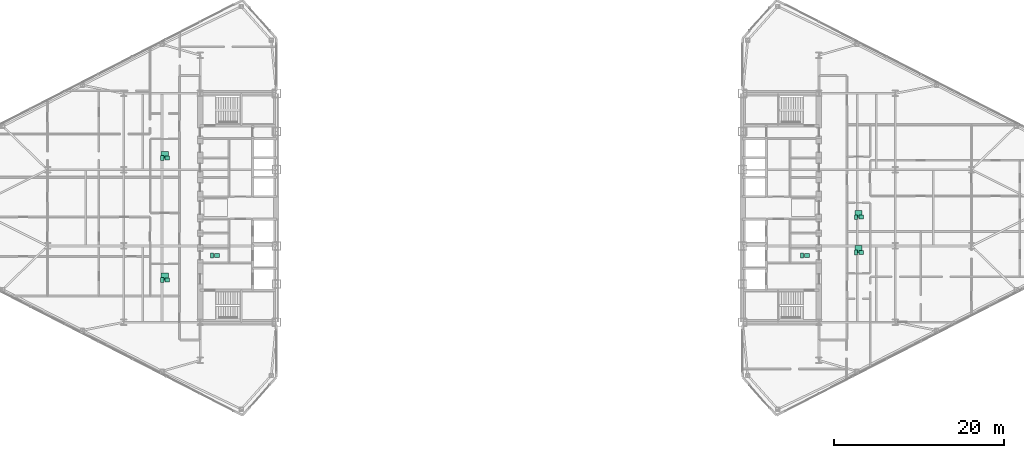
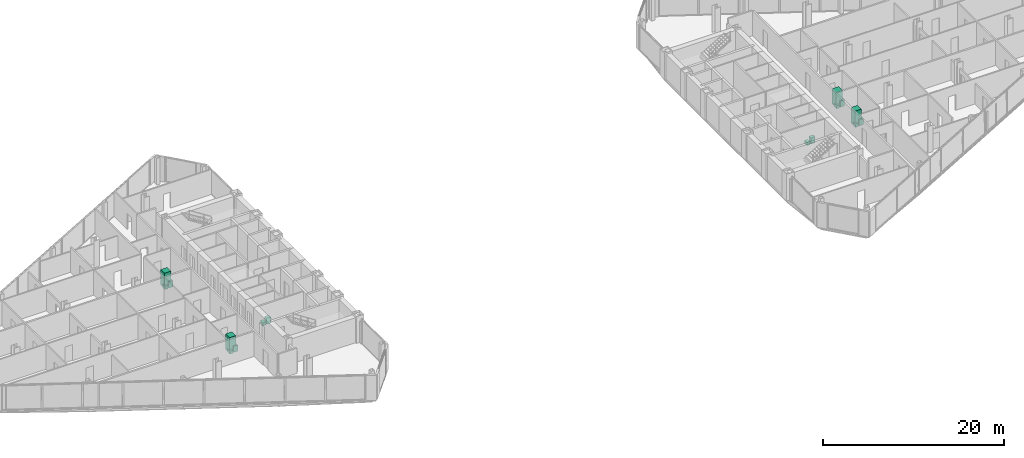
# One storey, part 24 of 24: 16 sanitary terminals.
"""IFC4 building model written with IfcOpenShell, lengths in metres."""

import ifcopenshell
import ifcopenshell.guid

model = None  # the IFC model being written
_history = None  # IfcOwnerHistory: only IFC2X3 demands one
_inside = {}  # id of a spatial element -> (the spatial element, [elements in it])
_under = {}  # id of a project, library or spatial element -> (it, [spatial elements below it])
_declared = {}  # id of a project -> (the project, [libraries it declares])
_typed = {}  # id of a type object -> (the type object, [elements of that type])
_made_of = {}  # id of a material, layer set ... -> (it, [elements and type objects made of it])


def new_model(schema):
    """Start an empty IFC model of exactly this schema.

    Asked for "IFC4X3", IfcOpenShell would pick the latest addendum, in which some entities
    have other attributes; the version numbers below select the first issue.
    IFC2X3 requires an IfcOwnerHistory on every rooted entity: one is made here for all.
    """
    global model, _history
    if schema == "IFC4X3":
        model = ifcopenshell.file(schema_version=(4, 3, 0, 0))
    else:
        model = ifcopenshell.file(schema=schema)
    _inside.clear()
    _under.clear()
    _declared.clear()
    _typed.clear()
    _made_of.clear()
    _history = None
    if model.schema == "IFC2X3":
        org = make("IfcOrganization", Name="unknown")
        user = make(
            "IfcPersonAndOrganization",
            ThePerson=make("IfcPerson", FamilyName="unknown"),
            TheOrganization=org,
        )
        app = make(
            "IfcApplication",
            ApplicationDeveloper=org,
            Version="unknown",
            ApplicationFullName="unknown",
            ApplicationIdentifier="unknown",
        )
        _history = make(
            "IfcOwnerHistory",
            OwningUser=user,
            OwningApplication=app,
            ChangeAction="ADDED",
            CreationDate=0,
        )
    return model


def make(cls, **values):
    """One entity of the class cls with the attributes given. An attribute that is None is left unset."""
    return model.create_entity(
        cls, **{name: value for name, value in values.items() if value is not None}
    )


def rooted(cls, **values):
    """An entity with a GlobalId (a new one), such as an element, a storey or a relation."""
    return make(cls, GlobalId=ifcopenshell.guid.new(), OwnerHistory=_history, **values)


def si_unit(unit_type, name, prefix=None):
    """IfcSIUnit, for example si_unit("LENGTHUNIT", "METRE", prefix="MILLI")."""
    return make("IfcSIUnit", UnitType=unit_type, Prefix=prefix, Name=name)


def assignment(units):
    """IfcUnitAssignment: the units of a project."""
    return None if units is None else make("IfcUnitAssignment", Units=units)


def point(xyz):
    """IfcCartesianPoint."""
    return None if xyz is None else make("IfcCartesianPoint", Coordinates=xyz)


def direction(xyz):
    """IfcDirection."""
    return None if xyz is None else make("IfcDirection", DirectionRatios=xyz)


def frame(location, z_axis=None, x_axis=None):
    """IfcAxis2Placement3D, a coordinate frame: its origin and axes. An axis left out is left unset."""
    return make(
        "IfcAxis2Placement3D",
        Location=point(location),
        Axis=direction(z_axis),
        RefDirection=direction(x_axis),
    )


def frame_2d(location, x_axis=None):
    """IfcAxis2Placement2D, a coordinate frame in the plane: its origin and x axis."""
    return make(
        "IfcAxis2Placement2D", Location=point(location), RefDirection=direction(x_axis)
    )


def origin():
    """The frame at (0, 0, 0) with its axes left unset."""
    return frame((0.0, 0.0, 0.0))


def origin_2d():
    """The frame at (0, 0) in the plane with its x axis left unset."""
    return frame_2d((0.0, 0.0))


def place(relative_to, where):
    """IfcLocalPlacement: puts the frame where relative to a parent placement (None: the world)."""
    return make(
        "IfcLocalPlacement", PlacementRelTo=relative_to, RelativePlacement=where
    )


def context(
    kind, dimensions, precision=None, world=None, true_north=None, identifier=None
):
    """IfcGeometricRepresentationContext, for example the 3D "Model" context."""
    return make(
        "IfcGeometricRepresentationContext",
        ContextIdentifier=identifier,
        ContextType=kind,
        CoordinateSpaceDimension=dimensions,
        Precision=precision,
        WorldCoordinateSystem=world,
        TrueNorth=true_north,
    )


def subcontext(parent, identifier, kind, view, scale=None):
    """IfcGeometricRepresentationSubContext, for example "Body" below "Model"."""
    return make(
        "IfcGeometricRepresentationSubContext",
        ContextIdentifier=identifier,
        ContextType=kind,
        ParentContext=parent,
        TargetScale=scale,
        TargetView=view,
    )


def project(units=None, contexts=None):
    """IfcProject with its units and contexts."""
    return rooted(
        "IfcProject",
        Name="project",
        RepresentationContexts=contexts,
        UnitsInContext=assignment(units),
    )


def spatial(cls, under=None, at=None, **own):
    """A site, building, storey or space (cls), placed at a placement, below another one or the project."""
    s = rooted(cls, ObjectPlacement=at, **own)
    if under is not None:
        _under.setdefault(under.id(), (under, []))[1].append(s)
    return s


def profile(cls, at=None, kind="AREA", **sizes):
    """A parametric profile (cls). Its sizes go by their IFC names, for example OverallWidth=200.0."""
    return make(cls, ProfileType=kind, Position=at, **sizes)


def rectangle(**sizes):
    """IfcRectangleProfileDef."""
    return profile("IfcRectangleProfileDef", **sizes)


def extrude(swept, where, along, depth):
    """IfcExtrudedAreaSolid: the profile swept, set in the frame where, extruded along a direction by depth."""
    return make(
        "IfcExtrudedAreaSolid",
        SweptArea=swept,
        Position=where,
        ExtrudedDirection=direction(along),
        Depth=depth,
    )


def shape(context_of_items, identifier, shape_type, items):
    """IfcShapeRepresentation: the items that make up one representation, for example the "Body"."""
    return make(
        "IfcShapeRepresentation",
        ContextOfItems=context_of_items,
        RepresentationIdentifier=identifier,
        RepresentationType=shape_type,
        Items=items,
    )


def source(mapping_origin, context_of_items, identifier, shape_type, items):
    """IfcRepresentationMap: a shape defined once, which mapped items show again and again."""
    return make(
        "IfcRepresentationMap",
        MappingOrigin=mapping_origin,
        MappedRepresentation=shape(context_of_items, identifier, shape_type, items),
    )


def transform(
    local_origin,
    x_axis=None,
    y_axis=None,
    z_axis=None,
    scale=None,
    scale2=None,
    scale3=None,
    uniform=True,
):
    """IfcCartesianTransformationOperator3D, or its non-uniform kind. x_axis, y_axis, z_axis: its Axis1, 2, 3."""
    if uniform:
        return make(
            "IfcCartesianTransformationOperator3D",
            Axis1=direction(x_axis),
            Axis2=direction(y_axis),
            LocalOrigin=point(local_origin),
            Scale=scale,
            Axis3=direction(z_axis),
        )
    return make(
        "IfcCartesianTransformationOperator3DnonUniform",
        Axis1=direction(x_axis),
        Axis2=direction(y_axis),
        LocalOrigin=point(local_origin),
        Scale=scale,
        Axis3=direction(z_axis),
        Scale2=scale2,
        Scale3=scale3,
    )


def mapped(mapping_source, mapping_target):
    """IfcMappedItem: shows the shape of a source again, moved by a transform."""
    return make(
        "IfcMappedItem", MappingSource=mapping_source, MappingTarget=mapping_target
    )


def material(Name=None, Category=None):
    """IfcMaterial."""
    return make("IfcMaterial", Name=Name, Category=Category)


def made_of(thing, what):
    """Note that an element or type object is made of a material, layer set ...; save() writes the relation."""
    if what is not None:
        _made_of.setdefault(what.id(), (what, []))[1].append(thing)
    return thing


def type_object(cls, material=None, **own):
    """A type object (cls), such as IfcWallType, which elements share."""
    return made_of(rooted(cls, **own), material)


def type_shapes(of_type, sources):
    """Give a type object the sources (RepresentationMaps) that its elements show as mapped items."""
    of_type.RepresentationMaps = sources


def element(
    cls,
    number,
    at=None,
    inside=None,
    cuts=None,
    type_object=None,
    material=None,
    context=None,
    identifier="Body",
    shape_type=None,
    held_by="IfcProductDefinitionShape",
    body=None,
    shapes=None,
    **own,
):
    """One element of the class cls, such as IfcWall. Its Tag is "e" and its number.

    at: its placement. inside: the storey or other place that contains it. cuts: it is an
    opening in that element (IfcRelVoidsElement). A single representation is given by context,
    identifier, shape_type and body (its items); several are given by shapes. held_by: the class
    of the entity that holds the representations. save() writes the other relations.
    """
    e = rooted(cls, Tag="e%d" % number, ObjectPlacement=at, **own)
    if body is not None:
        shapes = [shape(context, identifier, shape_type, body)]
    if shapes is not None:
        e.Representation = make(held_by, Representations=shapes)
    if inside is not None:
        _inside.setdefault(inside.id(), (inside, []))[1].append(e)
    if cuts is not None:
        rooted(
            "IfcRelVoidsElement", RelatingBuildingElement=cuts, RelatedOpeningElement=e
        )
    if type_object is not None:
        _typed.setdefault(type_object.id(), (type_object, []))[1].append(e)
    return made_of(e, material)


def aggregate(whole, parts):
    """IfcRelAggregates: a whole, such as a stair, and the parts it consists of."""
    return rooted("IfcRelAggregates", RelatingObject=whole, RelatedObjects=parts)


def save(model, path):
    """Write the relations noted so far, then the file.

    IfcRelAggregates (storeys below a building ...), IfcRelContainedInSpatialStructure (elements
    in a storey), IfcRelDefinesByType, IfcRelAssociatesMaterial and IfcRelDeclares: one each for
    every whole, place, type object, material and project.
    """
    for whole, parts in _under.values():
        aggregate(whole, parts)
    for where, things in _inside.values():
        rooted(
            "IfcRelContainedInSpatialStructure",
            RelatedElements=things,
            RelatingStructure=where,
        )
    for kind, things in _typed.values():
        rooted("IfcRelDefinesByType", RelatedObjects=things, RelatingType=kind)
    for what, things in _made_of.values():
        rooted("IfcRelAssociatesMaterial", RelatedObjects=things, RelatingMaterial=what)
    for by, libraries in _declared.values():
        rooted("IfcRelDeclares", RelatingContext=by, RelatedDefinitions=libraries)
    model.write(path)


model = new_model("IFC4")

# Units and contexts
model_context = context("Model", 3, precision=1e-05, world=origin(), true_north=direction((0.0, 1.0)))
body_context = subcontext(model_context, "Body", "Model", "MODEL_VIEW")
ifc_project = project(units=[si_unit("LENGTHUNIT", "METRE"), si_unit("AREAUNIT", "SQUARE_METRE"), si_unit("VOLUMEUNIT", "CUBIC_METRE"), si_unit("PLANEANGLEUNIT", "RADIAN"), si_unit("MASSUNIT", "GRAM", prefix="KILO")], contexts=[model_context])

# Site, building, storey
site_placement = place(None, origin())
site = spatial("IfcSite", under=ifc_project, at=site_placement, CompositionType="ELEMENT")
building_placement = place(site_placement, origin())
building = spatial("IfcBuilding", under=site, at=building_placement, Name="Seokmaru Belvedere", CompositionType="ELEMENT")
storey_placement = place(building_placement, frame((0.0, 0.0, 121.199951171875)))
storey = spatial("IfcBuildingStorey", under=building, at=storey_placement, Name="L32", CompositionType="ELEMENT", Elevation=121.199951171875)

# Sanitary terminals
ifc_material_1 = material(Name="Vitreous China Sanitaryware")
sanitary_terminal_type_1 = type_object("IfcSanitaryTerminalType", Name="Wall-Hung Vitreous China WC Pan", PredefinedType="TOILETPAN", material=ifc_material_1)
shared_shape_1 = source(origin(), body_context, "Body", "SweptSolid", [
    extrude(rectangle(XDim=0.3798828125, YDim=0.56005859375, at=origin_2d()), origin(), (0.0, 0.0, 1.0), 0.419921875),
])
type_shapes(sanitary_terminal_type_1, [shared_shape_1])
for number, where, z_axis, x_axis, name in (
    (1, (-35.10009765625, -5.625, 0.0), (0.0, 0.0, 1.0), (1.0, 0.0, 0.0), "L32 Vitreous China WC 0180"),
    (2, (34.5, -5.625, 0.0), (0.0, 0.0, 1.0), (1.0, 0.0, 0.0), "L32 Vitreous China WC 0181"),
    (3, (-40.97509765625, -8.510986328125, 0.0), (0.0, 0.0, 1.0), (1.0, 0.0, 0.0), "L32 Vitreous China WC 0182"),
    (4, (-40.97509765625, 5.864013671875, 0.0), (0.0, 0.0, 1.0), (1.0, 0.0, 0.0), "L32 Vitreous China WC 0183"),
    (5, (40.875, -5.263916015625, 0.0), (0.0, 0.0, 1.0), (1.0, 0.0, 0.0), "L32 Vitreous China WC 0184"),
    (6, (40.875, -1.10009765625, 0.0), (0.0, 0.0, 1.0), (1.0, 0.0, 0.0), "L32 Vitreous China WC 0185"),
):
    element("IfcSanitaryTerminal", number, at=place(storey_placement, frame(where, z_axis=z_axis, x_axis=x_axis)), inside=storey, type_object=sanitary_terminal_type_1, Name=name, PredefinedType="TOILETPAN", context=body_context, shape_type="MappedRepresentation", body=[
        mapped(shared_shape_1, transform((0.0, 0.0, 0.0), scale=1.0)),
    ])
sanitary_terminal_type_2 = type_object("IfcSanitaryTerminalType", Name="Countertop Ceramic Washhand Basin", PredefinedType="WASHHANDBASIN", material=ifc_material_1)
shared_shape_2 = source(origin(), body_context, "Body", "SweptSolid", [
    extrude(rectangle(XDim=0.550048828125, YDim=0.449951171875, at=origin_2d()), origin(), (0.0, 0.0, 1.0), 0.820068359375),
])
type_shapes(sanitary_terminal_type_2, [shared_shape_2])
for number, where, z_axis, x_axis, name in (
    (7, (-34.5, -5.625, 0.0), (0.0, 0.0, 1.0), (1.0, 0.0, 0.0), "L32 Ceramic Washhand Basin 0180"),
    (8, (35.10009765625, -5.625, 0.0), (0.0, 0.0, 1.0), (1.0, 0.0, 0.0), "L32 Ceramic Washhand Basin 0181"),
    (9, (-40.375, -8.510986328125, 0.0), (0.0, 0.0, 1.0), (1.0, 0.0, 0.0), "L32 Ceramic Washhand Basin 0182"),
    (10, (-40.375, 5.864013671875, 0.0), (0.0, 0.0, 1.0), (1.0, 0.0, 0.0), "L32 Ceramic Washhand Basin 0183"),
    (11, (41.47509765625, -5.263916015625, 0.0), (0.0, 0.0, 1.0), (1.0, 0.0, 0.0), "L32 Ceramic Washhand Basin 0184"),
    (12, (41.47509765625, -1.10009765625, 0.0), (0.0, 0.0, 1.0), (1.0, 0.0, 0.0), "L32 Ceramic Washhand Basin 0185"),
):
    element("IfcSanitaryTerminal", number, at=place(storey_placement, frame(where, z_axis=z_axis, x_axis=x_axis)), inside=storey, type_object=sanitary_terminal_type_2, Name=name, PredefinedType="WASHHANDBASIN", context=body_context, shape_type="MappedRepresentation", body=[
        mapped(shared_shape_2, transform((0.0, 0.0, 0.0), scale=1.0)),
    ])
ifc_material_2 = material(Name="Stainless Steel 316", Category="steel")
sanitary_terminal_type_3 = type_object("IfcSanitaryTerminalType", Name="Walk-In Thermostatic Rain Shower Enclosure", PredefinedType="SHOWER", material=ifc_material_2)
shared_shape_3 = source(origin(), body_context, "Body", "SweptSolid", [
    extrude(rectangle(XDim=0.85009765625, YDim=0.85009765625, at=origin_2d()), origin(), (0.0, 0.0, 1.0), 2.050048828125),
])
type_shapes(sanitary_terminal_type_3, [shared_shape_3])
for number, where, z_axis, x_axis, name in (
    (13, (-40.675048828125, -8.131103515625, 0.0), (0.0, 0.0, 1.0), (1.0, 0.0, 0.0), "L32 Walk-In Shower 0182"),
    (14, (-40.675048828125, 6.243896484375, 0.0), (0.0, 0.0, 1.0), (1.0, 0.0, 0.0), "L32 Walk-In Shower 0183"),
    (15, (41.175048828125, -4.884033203125, 0.0), (0.0, 0.0, 1.0), (1.0, 0.0, 0.0), "L32 Walk-In Shower 0184"),
    (16, (41.175048828125, -0.719970703125, 0.0), (0.0, 0.0, 1.0), (1.0, 0.0, 0.0), "L32 Walk-In Shower 0185"),
):
    element("IfcSanitaryTerminal", number, at=place(storey_placement, frame(where, z_axis=z_axis, x_axis=x_axis)), inside=storey, type_object=sanitary_terminal_type_3, Name=name, PredefinedType="SHOWER", context=body_context, shape_type="MappedRepresentation", body=[
        mapped(shared_shape_3, transform((0.0, 0.0, 0.0), scale=1.0)),
    ])

save(model, "model.ifc")
